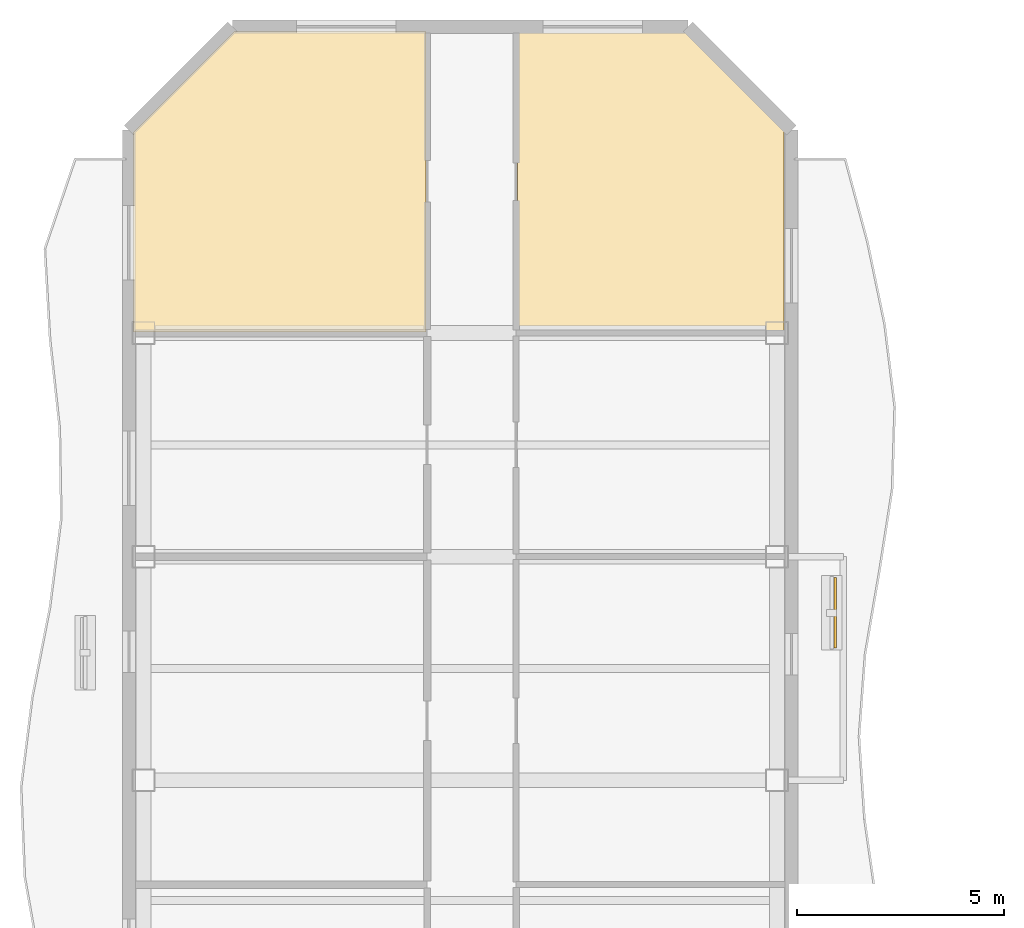
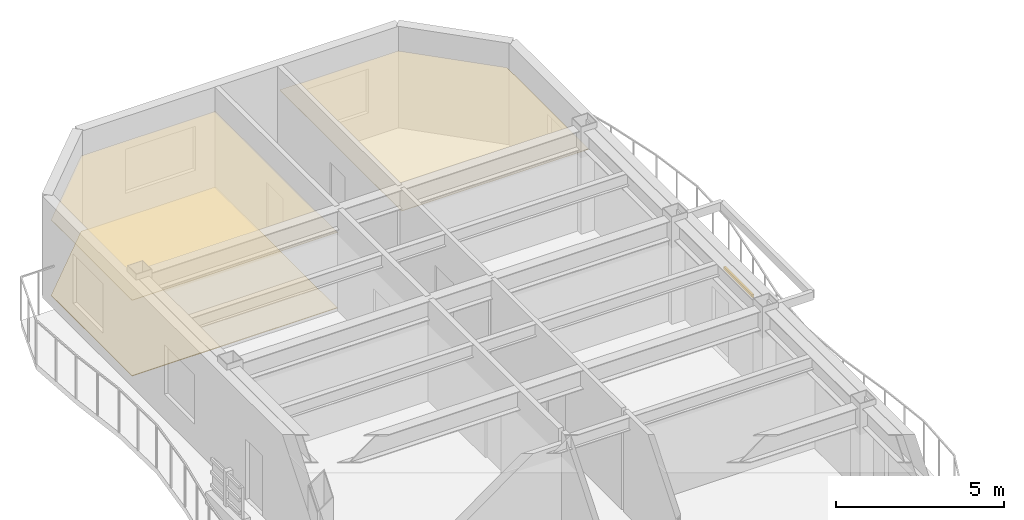
# One storey, part 11 of 11: 3 coverings, 1 shading device.
"""IFC4 building model written with IfcOpenShell, lengths in metres."""

from ifc_helpers import new_model, si_unit, direction, frame, origin, origin_2d, place, context, subcontext, project, spatial, polyline, rectangle, outline, extrude, material, layer, layer_set, material_profile, profile_set, type_object, element, save


model = new_model("IFC4")

# Units and contexts
model_context = context("Model", 3, precision=1e-05, world=origin(), true_north=direction((0.0, 1.0)))
body_context = subcontext(model_context, "Body", "Model", "MODEL_VIEW")
ifc_project = project(units=[si_unit("LENGTHUNIT", "METRE"), si_unit("AREAUNIT", "SQUARE_METRE"), si_unit("VOLUMEUNIT", "CUBIC_METRE"), si_unit("PLANEANGLEUNIT", "RADIAN"), si_unit("MASSUNIT", "GRAM", prefix="KILO")], contexts=[model_context])

# Site, building, storey
site_placement = place(None, origin())
site = spatial("IfcSite", under=ifc_project, at=site_placement, CompositionType="ELEMENT")
building_placement = place(site_placement, origin())
building = spatial("IfcBuilding", under=site, at=building_placement, Name="Mawjaban Terraces University", CompositionType="ELEMENT")
storey_placement = place(building_placement, frame((0.0, 0.0, 77.800048828125)))
storey = spatial("IfcBuildingStorey", under=building, at=storey_placement, Name="L18", CompositionType="ELEMENT", Elevation=77.800048828125)

# Coverings
ifc_material_1 = material(Name="Acoustic mineral fibre ceiling tile", Category="masonry")
ifc_layer_1 = layer(ifc_material_1, 0.02001953125)
ifc_layer_set_1 = layer_set([ifc_layer_1], Name="Acoustic mineral fibre ceiling tile")
covering_type_1 = type_object("IfcCoveringType", Name="AcousticMineralCeiling_20", PredefinedType="CEILING", material=ifc_layer_set_1)
covering_1_placement = place(storey_placement, frame((0.0, 0.0, 2.75)))
element("IfcCovering", 1, at=covering_1_placement, inside=storey, type_object=covering_type_1, Name="L18 Classroom 14 Acoustic Ceiling", PredefinedType="CEILING", context=body_context, shape_type="SweptSolid", body=[
    extrude(outline(polyline([(29.169921875, 53.885009765625), (24.547119140625, 53.885009765625), (22.114990234375, 51.452880859375), (22.114990234375, 46.6298828125), (29.169921875, 46.6298828125), (29.169921875, 53.885009765625)])), origin(), (0.0, 0.0, 1.0), 0.02001953125),
])
covering_2_placement = place(storey_placement, frame((0.0, 0.0, 2.75)))
element("IfcCovering", 2, at=covering_2_placement, inside=storey, type_object=covering_type_1, Name="L18 Academic Counseling Room 15 Acoustic Ceiling", PredefinedType="CEILING", context=body_context, shape_type="SweptSolid", body=[
    extrude(outline(polyline([(37.820068359375, 51.51806640625), (35.452880859375, 53.885009765625), (31.3798828125, 53.885009765625), (31.3798828125, 46.6298828125), (37.820068359375, 46.6298828125), (37.820068359375, 51.51806640625)])), origin(), (0.0, 0.0, 1.0), 0.02001953125),
])

# Shading device
ifc_material_2 = material(Name="Glazed architectural terracotta ceramic", Category="masonry")
ifc_material_profile = material_profile(ifc_material_2, rectangle(XDim=0.06494140625, YDim=0.110107421875, at=origin_2d()), Name="TBAG110X65")
ifc_profile_set = profile_set([ifc_material_profile], Name="Glazed architectural terracotta ceramic")
shading_device_type = type_object("IfcShadingDeviceType", Name="TerracottaBaguette_110x65", PredefinedType="USERDEFINED", material=ifc_profile_set)
shading_device_placement = place(storey_placement, frame((39.055908203125, 38.990966796875, 1.619873046875), z_axis=(0.0, 1.0, 0.0), x_axis=(-1.0, 0.0, 0.0)))
element("IfcShadingDevice", 3, at=shading_device_placement, inside=storey, type_object=shading_device_type, Name="L18 Horizontal Terracotta Baguette inner_east.3", ObjectType="BAGUETTE", PredefinedType="USERDEFINED", context=body_context, shape_type="SweptSolid", body=[
    extrude(rectangle(XDim=0.06494140625, YDim=0.110107421875, at=origin_2d()), origin(), (0.0, 0.0, 1.0), 1.699951171875),
])

# Covering
ifc_material_3 = material(Name="Polished Hijazi granite terrazzo flooring", Category="masonry")
ifc_layer_2 = layer(ifc_material_3, 0.02490234375)
ifc_layer_set_2 = layer_set([ifc_layer_2], Name="Polished Hijazi granite terrazzo flooring")
covering_type_2 = type_object("IfcCoveringType", Name="TerrazzoConcourseFlooring_25", PredefinedType="FLOORING", material=ifc_layer_set_2)
covering_3_placement = place(storey_placement, origin())
element("IfcCovering", 4, at=covering_3_placement, inside=storey, type_object=covering_type_2, Name="L18 Classroom 14 Terrazzo Flooring", PredefinedType="FLOORING", context=body_context, shape_type="SweptSolid", body=[
    extrude(outline(polyline([(29.169921875, 53.885009765625), (24.547119140625, 53.885009765625), (22.114990234375, 51.452880859375), (22.114990234375, 46.6298828125), (29.169921875, 46.6298828125), (29.169921875, 53.885009765625)])), origin(), (0.0, 0.0, 1.0), 0.02490234375),
])

save(model, "model.ifc")
